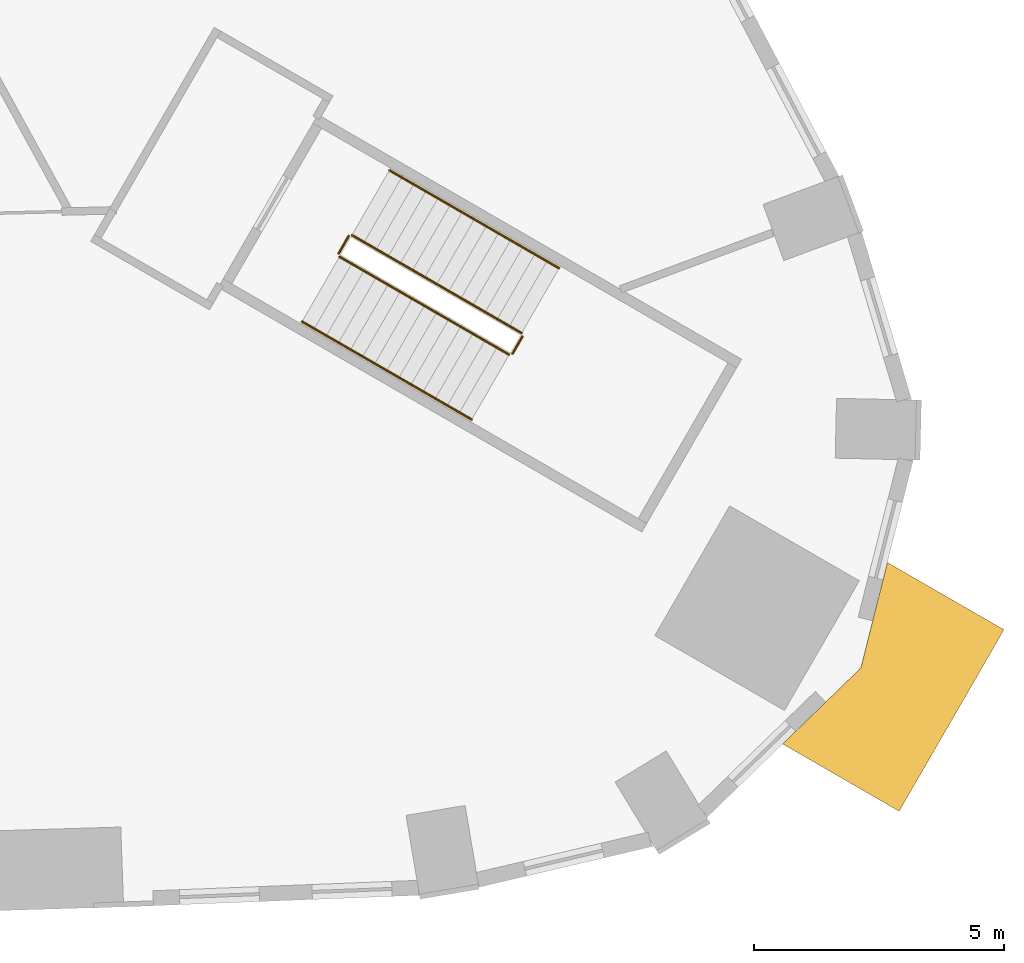
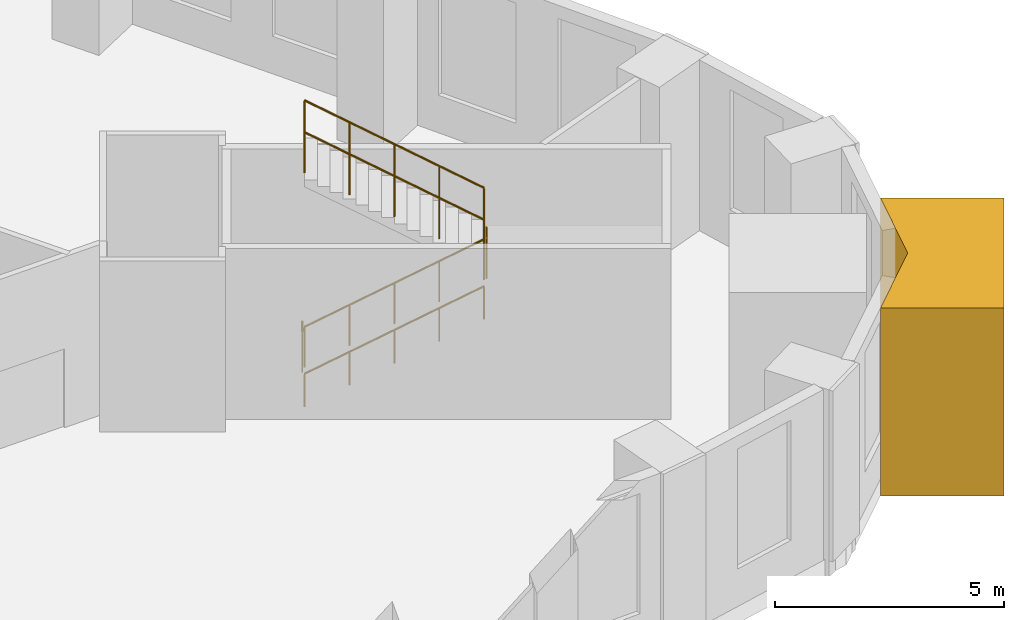
# One storey, part 15 of 16: 6 railings, 1 covering.
"""IFC4 building model written with IfcOpenShell, lengths in metres."""

from ifc_helpers import new_model, si_unit, direction, frame, origin, origin_2d, place, context, subcontext, project, spatial, polyline, circle, outline, extrude, material, type_object, element, save


model = new_model("IFC4")

# Units and contexts
model_context = context("Model", 3, precision=1e-05, world=origin(), true_north=direction((0.0, 1.0)))
body_context = subcontext(model_context, "Body", "Model", "MODEL_VIEW")
ifc_project = project(units=[si_unit("LENGTHUNIT", "METRE"), si_unit("AREAUNIT", "SQUARE_METRE"), si_unit("VOLUMEUNIT", "CUBIC_METRE"), si_unit("PLANEANGLEUNIT", "RADIAN"), si_unit("MASSUNIT", "GRAM", prefix="KILO")], contexts=[model_context])

# Site, building, storey
site_placement = place(None, origin())
site = spatial("IfcSite", under=ifc_project, at=site_placement, CompositionType="ELEMENT")
building_placement = place(site_placement, origin())
building = spatial("IfcBuilding", under=site, at=building_placement, Name="Entoto Arch Interchange Tower", CompositionType="ELEMENT")
storey_placement = place(building_placement, frame((0.0, 0.0, 25.0)))
storey = spatial("IfcBuildingStorey", under=building, at=storey_placement, Name="L04", CompositionType="ELEMENT", Elevation=25.0)

# Covering
ifc_material_1 = material(Name="Board-marked precast concrete C50/60", Category="concrete")
covering_type = type_object("IfcCoveringType", Name="PRECAST FRAME COURSE", PredefinedType="CLADDING", material=ifc_material_1)
covering_placement = place(storey_placement, frame((0.0, 0.0, -0.449951171875)))
element("IfcCovering", 1, at=covering_placement, inside=storey, type_object=covering_type, Name="Podium corner pier SE L04", PredefinedType="CLADDING", context=body_context, shape_type="SweptSolid", body=[
    extrude(outline(polyline([(41.916015625, -26.625), (39.580078125, -25.27587890625), (41.14697265625, -23.756103515625), (41.679931640625, -21.638916015625), (44.01611328125, -22.987060546875), (41.916015625, -26.625)])), origin(), (0.0, 0.0, 1.0), 5.0),
])

# Railings
ifc_material_2 = material(Name="Stainless steel 1.4301", Category="steel")
railing_type_1 = type_object("IfcRailingType", Name="STAIR GUARD 1100 STEEL", PredefinedType="GUARDRAIL", material=ifc_material_2)
railing_1_placement = place(storey_placement, frame((30.70556640625, -15.516357421875, 0.166748046875)))
element("IfcRailing", 2, at=railing_1_placement, inside=storey, type_object=railing_type_1, Name="L04 PST-SE stair guard 1", PredefinedType="GUARDRAIL", context=body_context, shape_type="SweptSolid", body=[
    extrude(circle(Radius=0.02392578125, at=origin_2d()), frame((0.0, 0.0, 1.076171875), z_axis=(0.744157560544, -0.429690115326, 0.511464495226), x_axis=(0.500044117093, 0.865999931271, 0.0)), (0.0, 0.0, 1.0), 4.56201171875),
    extrude(circle(Radius=0.02099609375, at=origin_2d()), origin(), (0.0, 0.0, 1.0), 1.052001953125),
    extrude(circle(Radius=0.02099609375, at=origin_2d()), frame((0.8486328125, -0.489990234375, 0.583251953125)), (0.0, 0.0, 1.0), 1.052001953125),
    extrude(circle(Radius=0.02099609375, at=origin_2d()), frame((1.697265625, -0.97998046875, 1.16650390625)), (0.0, 0.0, 1.0), 1.052001953125),
    extrude(circle(Radius=0.02099609375, at=origin_2d()), frame((2.546142578125, -1.47021484375, 1.75)), (0.0, 0.0, 1.0), 1.052001953125),
    extrude(circle(Radius=0.02099609375, at=origin_2d()), frame((3.394775390625, -1.960205078125, 2.333251953125)), (0.0, 0.0, 1.0), 1.052001953125),
])
railing_2_placement = place(storey_placement, frame((34.168701171875, -17.458251953125, 2.5)))
element("IfcRailing", 3, at=railing_2_placement, inside=storey, type_object=railing_type_1, Name="L04 PST-SE stair guard 2", PredefinedType="GUARDRAIL", context=body_context, shape_type="SweptSolid", body=[
    extrude(circle(Radius=0.02392578125, at=origin_2d()), frame((0.0, 0.0, 1.076171875), z_axis=(0.499880961361, 0.866094119867, 0.0), x_axis=(-0.866094119867, 0.499880961361, 0.0)), (0.0, 0.0, 1.0), 0.39990234375),
    extrude(circle(Radius=0.02099609375, at=origin_2d()), origin(), (0.0, 0.0, 1.0), 1.052001953125),
    extrude(circle(Radius=0.02099609375, at=origin_2d()), frame((0.199951171875, 0.346435546875, 0.0)), (0.0, 0.0, 1.0), 1.052001953125),
])
railing_3_placement = place(storey_placement, frame((34.350341796875, -17.04345703125, 2.666748046875)))
element("IfcRailing", 4, at=railing_3_placement, inside=storey, type_object=railing_type_1, Name="L04 PST-SE stair guard 3", PredefinedType="GUARDRAIL", context=body_context, shape_type="SweptSolid", body=[
    extrude(circle(Radius=0.02392578125, at=origin_2d()), frame((0.0, 0.0, 1.076171875), z_axis=(-0.744174672596, 0.429646477641, 0.511476256455), x_axis=(-0.499997407846, -0.86602690036, 0.0)), (0.0, 0.0, 1.0), 4.561767578125),
    extrude(circle(Radius=0.02099609375, at=origin_2d()), origin(), (0.0, 0.0, 1.0), 1.052001953125),
    extrude(circle(Radius=0.02099609375, at=origin_2d()), frame((-0.8486328125, 0.489990234375, 0.583251953125)), (0.0, 0.0, 1.0), 1.052001953125),
    extrude(circle(Radius=0.02099609375, at=origin_2d()), frame((-1.697265625, 0.97998046875, 1.16650390625)), (0.0, 0.0, 1.0), 1.052001953125),
    extrude(circle(Radius=0.02099609375, at=origin_2d()), frame((-2.546142578125, 1.469970703125, 1.75)), (0.0, 0.0, 1.0), 1.052001953125),
    extrude(circle(Radius=0.02099609375, at=origin_2d()), frame((-3.394775390625, 1.9599609375, 2.333251953125)), (0.0, 0.0, 1.0), 1.052001953125),
])
railing_4_placement = place(storey_placement, frame((30.687255859375, -15.4482421875, 0.0)))
element("IfcRailing", 5, at=railing_4_placement, inside=storey, type_object=railing_type_1, Name="L04 PST-SE stair guard 4", PredefinedType="GUARDRAIL", context=body_context, shape_type="SweptSolid", body=[
    extrude(circle(Radius=0.02392578125, at=origin_2d()), frame((0.0, 0.0, 1.076171875), z_axis=(0.499880961361, 0.866094119867, 0.0), x_axis=(-0.866094119867, 0.499880961361, 0.0)), (0.0, 0.0, 1.0), 0.39990234375),
    extrude(circle(Radius=0.02099609375, at=origin_2d()), origin(), (0.0, 0.0, 1.0), 1.052001953125),
    extrude(circle(Radius=0.02099609375, at=origin_2d()), frame((0.199951171875, 0.346435546875, 0.0)), (0.0, 0.0, 1.0), 1.052001953125),
])
railing_type_2 = type_object("IfcRailingType", Name="STAIR HANDRAIL 900 STEEL", PredefinedType="HANDRAIL", material=ifc_material_2)
railing_5_placement = place(storey_placement, frame((29.95556640625, -16.8154296875, 0.166748046875)))
element("IfcRailing", 6, at=railing_5_placement, inside=storey, type_object=railing_type_2, Name="L04 PST-SE stair handrail 1", PredefinedType="HANDRAIL", context=body_context, shape_type="SweptSolid", body=[
    extrude(circle(Radius=0.02392578125, at=origin_2d()), frame((0.0, 0.0, 0.8759765625), z_axis=(0.744174672596, -0.429646477641, 0.511476256455), x_axis=(0.499997407846, 0.86602690036, 0.0)), (0.0, 0.0, 1.0), 4.561767578125),
    extrude(circle(Radius=0.02099609375, at=origin_2d()), origin(), (0.0, 0.0, 1.0), 0.851806640625),
    extrude(circle(Radius=0.02099609375, at=origin_2d()), frame((0.8486328125, -0.489990234375, 0.583251953125)), (0.0, 0.0, 1.0), 0.851806640625),
    extrude(circle(Radius=0.02099609375, at=origin_2d()), frame((1.697265625, -0.97998046875, 1.16650390625)), (0.0, 0.0, 1.0), 0.851806640625),
    extrude(circle(Radius=0.02099609375, at=origin_2d()), frame((2.546142578125, -1.469970703125, 1.75)), (0.0, 0.0, 1.0), 0.851806640625),
    extrude(circle(Radius=0.02099609375, at=origin_2d()), frame((3.394775390625, -1.9599609375, 2.333251953125)), (0.0, 0.0, 1.0), 0.851806640625),
])
railing_6_placement = place(storey_placement, frame((35.100341796875, -15.744384765625, 2.666748046875)))
element("IfcRailing", 7, at=railing_6_placement, inside=storey, type_object=railing_type_2, Name="L04 PST-SE stair handrail 2", PredefinedType="HANDRAIL", context=body_context, shape_type="SweptSolid", body=[
    extrude(circle(Radius=0.02392578125, at=origin_2d()), frame((0.0, 0.0, 0.8759765625), z_axis=(-0.744174672596, 0.429646477641, 0.511476256455), x_axis=(-0.499997407846, -0.86602690036, 0.0)), (0.0, 0.0, 1.0), 4.561767578125),
    extrude(circle(Radius=0.02099609375, at=origin_2d()), origin(), (0.0, 0.0, 1.0), 0.851806640625),
    extrude(circle(Radius=0.02099609375, at=origin_2d()), frame((-0.8486328125, 0.489990234375, 0.583251953125)), (0.0, 0.0, 1.0), 0.851806640625),
    extrude(circle(Radius=0.02099609375, at=origin_2d()), frame((-1.697265625, 0.97998046875, 1.16650390625)), (0.0, 0.0, 1.0), 0.851806640625),
    extrude(circle(Radius=0.02099609375, at=origin_2d()), frame((-2.546142578125, 1.469970703125, 1.75)), (0.0, 0.0, 1.0), 0.851806640625),
    extrude(circle(Radius=0.02099609375, at=origin_2d()), frame((-3.394775390625, 1.9599609375, 2.333251953125)), (0.0, 0.0, 1.0), 0.851806640625),
])

save(model, "model.ifc")
